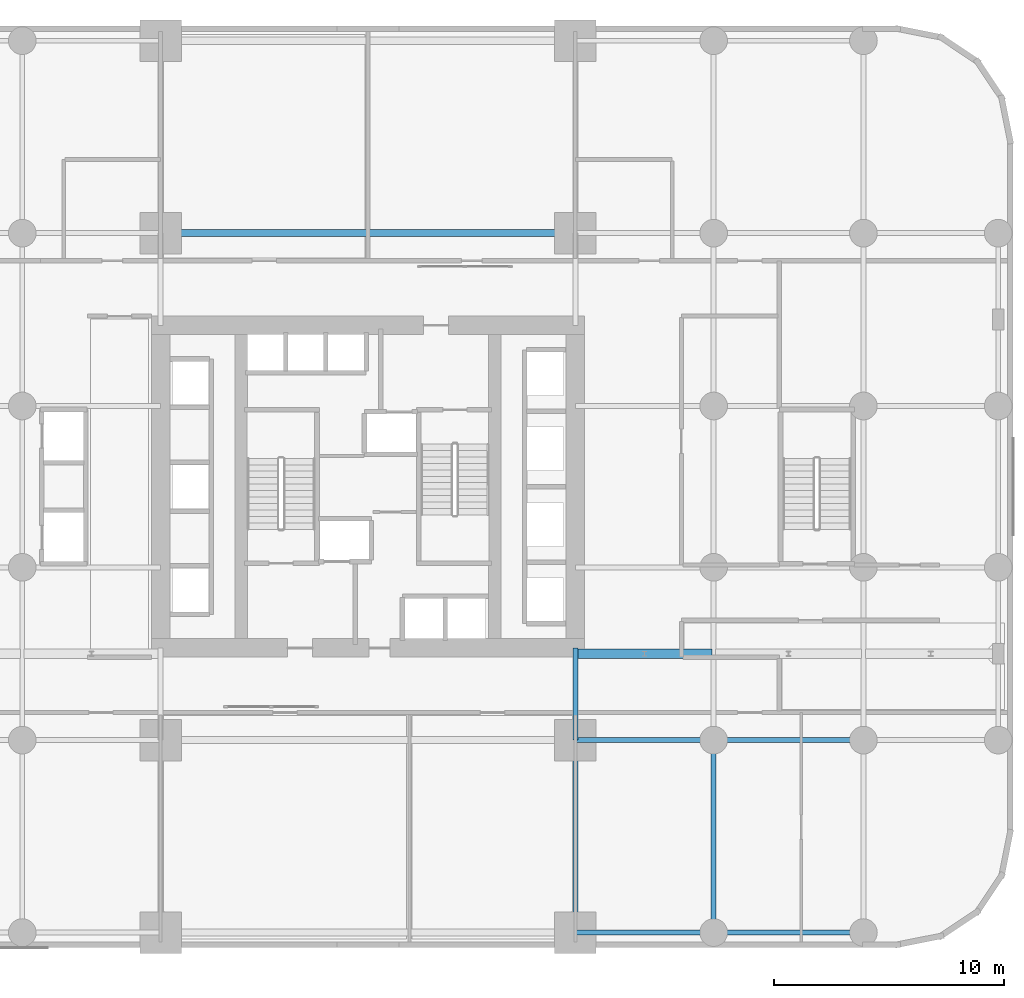
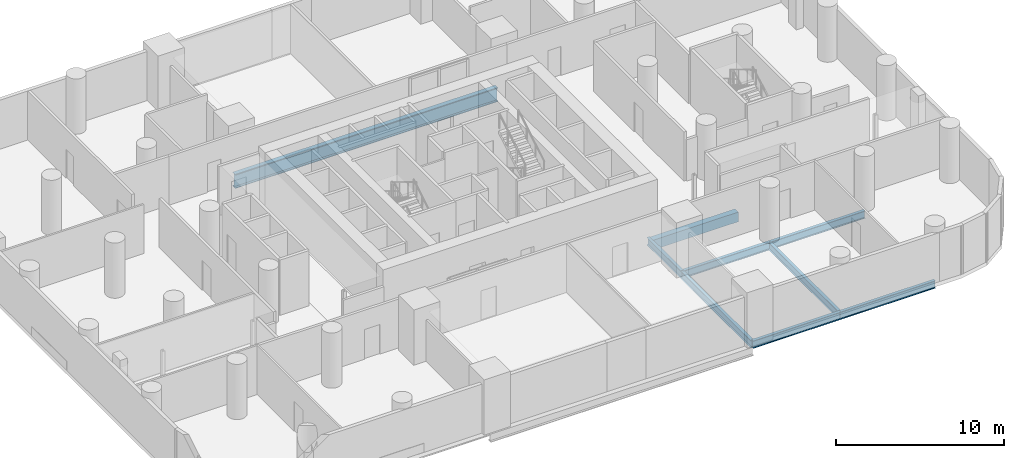
# One storey, part 5 of 15: 9 beams.
"""IFC4 building model written with IfcOpenShell, lengths in metres."""

import ifcopenshell
import ifcopenshell.guid

model = None  # the IFC model being written
_history = None  # IfcOwnerHistory: only IFC2X3 demands one
_inside = {}  # id of a spatial element -> (the spatial element, [elements in it])
_under = {}  # id of a project, library or spatial element -> (it, [spatial elements below it])
_declared = {}  # id of a project -> (the project, [libraries it declares])
_typed = {}  # id of a type object -> (the type object, [elements of that type])
_made_of = {}  # id of a material, layer set ... -> (it, [elements and type objects made of it])


def new_model(schema):
    """Start an empty IFC model of exactly this schema.

    Asked for "IFC4X3", IfcOpenShell would pick the latest addendum, in which some entities
    have other attributes; the version numbers below select the first issue.
    IFC2X3 requires an IfcOwnerHistory on every rooted entity: one is made here for all.
    """
    global model, _history
    if schema == "IFC4X3":
        model = ifcopenshell.file(schema_version=(4, 3, 0, 0))
    else:
        model = ifcopenshell.file(schema=schema)
    _inside.clear()
    _under.clear()
    _declared.clear()
    _typed.clear()
    _made_of.clear()
    _history = None
    if model.schema == "IFC2X3":
        org = make("IfcOrganization", Name="unknown")
        user = make(
            "IfcPersonAndOrganization",
            ThePerson=make("IfcPerson", FamilyName="unknown"),
            TheOrganization=org,
        )
        app = make(
            "IfcApplication",
            ApplicationDeveloper=org,
            Version="unknown",
            ApplicationFullName="unknown",
            ApplicationIdentifier="unknown",
        )
        _history = make(
            "IfcOwnerHistory",
            OwningUser=user,
            OwningApplication=app,
            ChangeAction="ADDED",
            CreationDate=0,
        )
    return model


def make(cls, **values):
    """One entity of the class cls with the attributes given. An attribute that is None is left unset."""
    return model.create_entity(
        cls, **{name: value for name, value in values.items() if value is not None}
    )


def rooted(cls, **values):
    """An entity with a GlobalId (a new one), such as an element, a storey or a relation."""
    return make(cls, GlobalId=ifcopenshell.guid.new(), OwnerHistory=_history, **values)


def si_unit(unit_type, name, prefix=None):
    """IfcSIUnit, for example si_unit("LENGTHUNIT", "METRE", prefix="MILLI")."""
    return make("IfcSIUnit", UnitType=unit_type, Prefix=prefix, Name=name)


def assignment(units):
    """IfcUnitAssignment: the units of a project."""
    return None if units is None else make("IfcUnitAssignment", Units=units)


def point(xyz):
    """IfcCartesianPoint."""
    return None if xyz is None else make("IfcCartesianPoint", Coordinates=xyz)


def direction(xyz):
    """IfcDirection."""
    return None if xyz is None else make("IfcDirection", DirectionRatios=xyz)


def frame(location, z_axis=None, x_axis=None):
    """IfcAxis2Placement3D, a coordinate frame: its origin and axes. An axis left out is left unset."""
    return make(
        "IfcAxis2Placement3D",
        Location=point(location),
        Axis=direction(z_axis),
        RefDirection=direction(x_axis),
    )


def frame_2d(location, x_axis=None):
    """IfcAxis2Placement2D, a coordinate frame in the plane: its origin and x axis."""
    return make(
        "IfcAxis2Placement2D", Location=point(location), RefDirection=direction(x_axis)
    )


def origin():
    """The frame at (0, 0, 0) with its axes left unset."""
    return frame((0.0, 0.0, 0.0))


def origin_2d():
    """The frame at (0, 0) in the plane with its x axis left unset."""
    return frame_2d((0.0, 0.0))


def place(relative_to, where):
    """IfcLocalPlacement: puts the frame where relative to a parent placement (None: the world)."""
    return make(
        "IfcLocalPlacement", PlacementRelTo=relative_to, RelativePlacement=where
    )


def context(
    kind, dimensions, precision=None, world=None, true_north=None, identifier=None
):
    """IfcGeometricRepresentationContext, for example the 3D "Model" context."""
    return make(
        "IfcGeometricRepresentationContext",
        ContextIdentifier=identifier,
        ContextType=kind,
        CoordinateSpaceDimension=dimensions,
        Precision=precision,
        WorldCoordinateSystem=world,
        TrueNorth=true_north,
    )


def subcontext(parent, identifier, kind, view, scale=None):
    """IfcGeometricRepresentationSubContext, for example "Body" below "Model"."""
    return make(
        "IfcGeometricRepresentationSubContext",
        ContextIdentifier=identifier,
        ContextType=kind,
        ParentContext=parent,
        TargetScale=scale,
        TargetView=view,
    )


def project(units=None, contexts=None):
    """IfcProject with its units and contexts."""
    return rooted(
        "IfcProject",
        Name="project",
        RepresentationContexts=contexts,
        UnitsInContext=assignment(units),
    )


def spatial(cls, under=None, at=None, **own):
    """A site, building, storey or space (cls), placed at a placement, below another one or the project."""
    s = rooted(cls, ObjectPlacement=at, **own)
    if under is not None:
        _under.setdefault(under.id(), (under, []))[1].append(s)
    return s


def profile(cls, at=None, kind="AREA", **sizes):
    """A parametric profile (cls). Its sizes go by their IFC names, for example OverallWidth=200.0."""
    return make(cls, ProfileType=kind, Position=at, **sizes)


def rectangle(**sizes):
    """IfcRectangleProfileDef."""
    return profile("IfcRectangleProfileDef", **sizes)


def i_section(**sizes):
    """IfcIShapeProfileDef."""
    return profile("IfcIShapeProfileDef", **sizes)


def extrude(swept, where, along, depth):
    """IfcExtrudedAreaSolid: the profile swept, set in the frame where, extruded along a direction by depth."""
    return make(
        "IfcExtrudedAreaSolid",
        SweptArea=swept,
        Position=where,
        ExtrudedDirection=direction(along),
        Depth=depth,
    )


def shape(context_of_items, identifier, shape_type, items):
    """IfcShapeRepresentation: the items that make up one representation, for example the "Body"."""
    return make(
        "IfcShapeRepresentation",
        ContextOfItems=context_of_items,
        RepresentationIdentifier=identifier,
        RepresentationType=shape_type,
        Items=items,
    )


def material(Name=None, Category=None):
    """IfcMaterial."""
    return make("IfcMaterial", Name=Name, Category=Category)


def material_profile(
    of_material, cross_section, Name=None, Category=None, Priority=None
):
    """IfcMaterialProfile: a cross section and its material."""
    return make(
        "IfcMaterialProfile",
        Name=Name,
        Material=of_material,
        Profile=cross_section,
        Priority=Priority,
        Category=Category,
    )


def profile_set(profiles, Name=None, composite=None):
    """IfcMaterialProfileSet."""
    return make(
        "IfcMaterialProfileSet",
        Name=Name,
        MaterialProfiles=profiles,
        CompositeProfile=composite,
    )


def made_of(thing, what):
    """Note that an element or type object is made of a material, layer set ...; save() writes the relation."""
    if what is not None:
        _made_of.setdefault(what.id(), (what, []))[1].append(thing)
    return thing


def type_object(cls, material=None, **own):
    """A type object (cls), such as IfcWallType, which elements share."""
    return made_of(rooted(cls, **own), material)


def element(
    cls,
    number,
    at=None,
    inside=None,
    cuts=None,
    type_object=None,
    material=None,
    context=None,
    identifier="Body",
    shape_type=None,
    held_by="IfcProductDefinitionShape",
    body=None,
    shapes=None,
    **own,
):
    """One element of the class cls, such as IfcWall. Its Tag is "e" and its number.

    at: its placement. inside: the storey or other place that contains it. cuts: it is an
    opening in that element (IfcRelVoidsElement). A single representation is given by context,
    identifier, shape_type and body (its items); several are given by shapes. held_by: the class
    of the entity that holds the representations. save() writes the other relations.
    """
    e = rooted(cls, Tag="e%d" % number, ObjectPlacement=at, **own)
    if body is not None:
        shapes = [shape(context, identifier, shape_type, body)]
    if shapes is not None:
        e.Representation = make(held_by, Representations=shapes)
    if inside is not None:
        _inside.setdefault(inside.id(), (inside, []))[1].append(e)
    if cuts is not None:
        rooted(
            "IfcRelVoidsElement", RelatingBuildingElement=cuts, RelatedOpeningElement=e
        )
    if type_object is not None:
        _typed.setdefault(type_object.id(), (type_object, []))[1].append(e)
    return made_of(e, material)


def aggregate(whole, parts):
    """IfcRelAggregates: a whole, such as a stair, and the parts it consists of."""
    return rooted("IfcRelAggregates", RelatingObject=whole, RelatedObjects=parts)


def save(model, path):
    """Write the relations noted so far, then the file.

    IfcRelAggregates (storeys below a building ...), IfcRelContainedInSpatialStructure (elements
    in a storey), IfcRelDefinesByType, IfcRelAssociatesMaterial and IfcRelDeclares: one each for
    every whole, place, type object, material and project.
    """
    for whole, parts in _under.values():
        aggregate(whole, parts)
    for where, things in _inside.values():
        rooted(
            "IfcRelContainedInSpatialStructure",
            RelatedElements=things,
            RelatingStructure=where,
        )
    for kind, things in _typed.values():
        rooted("IfcRelDefinesByType", RelatedObjects=things, RelatingType=kind)
    for what, things in _made_of.values():
        rooted("IfcRelAssociatesMaterial", RelatedObjects=things, RelatingMaterial=what)
    for by, libraries in _declared.values():
        rooted("IfcRelDeclares", RelatingContext=by, RelatedDefinitions=libraries)
    model.write(path)


model = new_model("IFC4")

# Units and contexts
model_context = context("Model", 3, precision=1e-05, world=origin(), true_north=direction((0.0, 1.0)))
body_context = subcontext(model_context, "Body", "Model", "MODEL_VIEW")
ifc_project = project(units=[si_unit("LENGTHUNIT", "METRE"), si_unit("AREAUNIT", "SQUARE_METRE"), si_unit("VOLUMEUNIT", "CUBIC_METRE"), si_unit("PLANEANGLEUNIT", "RADIAN"), si_unit("MASSUNIT", "GRAM", prefix="KILO")], contexts=[model_context])

# Site, building, storey
site_placement = place(None, origin())
site = spatial("IfcSite", under=ifc_project, at=site_placement, CompositionType="ELEMENT")
building_placement = place(site_placement, origin())
building = spatial("IfcBuilding", under=site, at=building_placement, Name="Veldorim Arch Residences", CompositionType="ELEMENT")
storey_placement = place(building_placement, frame((0.0, 0.0, 16.0)))
storey = spatial("IfcBuildingStorey", under=building, at=storey_placement, Name="L04", CompositionType="ELEMENT", Elevation=16.0)

# Beams
ifc_material_1 = material(Name="Concrete C50/60", Category="concrete")
ifc_material_profile_1 = material_profile(ifc_material_1, rectangle(XDim=0.39990234375, YDim=0.699951171875, at=origin_2d()), Name="RC_RECT_400x700")
ifc_profile_set_1 = profile_set([ifc_material_profile_1], Name="Concrete C50/60")
beam_type_1 = type_object("IfcBeamType", Name="Reinforced Concrete Lintel RC_RECT_400x700", PredefinedType="LINTEL", material=ifc_profile_set_1)
beam_1_placement = place(storey_placement, frame((41.080078125, 16.75, -0.6298828125), z_axis=(1.0, 0.0, 0.0), x_axis=(0.0, 1.0, 0.0)))
element("IfcBeam", 1, at=beam_1_placement, inside=storey, type_object=beam_type_1, Name="L04 clinic opening structural lintel 04", PredefinedType="LINTEL", context=body_context, shape_type="SweptSolid", body=[
    extrude(rectangle(XDim=0.39990234375, YDim=0.699951171875, at=origin_2d()), origin(), (0.0, 0.0, 1.0), 5.83984375),
])
ifc_material_2 = material(Name="Steel S355", Category="steel")
ifc_material_profile_2 = material_profile(ifc_material_2, i_section(OverallWidth=0.2099609375, OverallDepth=0.53662109375, WebThickness=0.0107421875, FlangeThickness=0.017333984375, at=origin_2d()), Name="UB533x210x101")
ifc_profile_set_2 = profile_set([ifc_material_profile_2], Name="Steel S355")
beam_type_2 = type_object("IfcBeamType", Name="Structural Steel Beam UB533x210x101", PredefinedType="BEAM", material=ifc_profile_set_2)
beam_2_placement = place(storey_placement, frame((41.0, 4.64990234375, -0.54833984375), z_axis=(0.0, 1.0, 0.0), x_axis=(-1.0, 0.0, 0.0)))
element("IfcBeam", 2, at=beam_2_placement, inside=storey, type_object=beam_type_2, Name="L04 north-south floor beam (X=41.0, 4.7-13.0)", PredefinedType="BEAM", context=body_context, shape_type="SweptSolid", body=[
    extrude(i_section(OverallWidth=0.2099609375, OverallDepth=0.53662109375, WebThickness=0.0107421875, FlangeThickness=0.017333984375, at=origin_2d()), origin(), (0.0, 0.0, 1.0), 8.35009765625),
])
beam_3_placement = place(storey_placement, frame((41.0, 13.0, -0.54833984375), z_axis=(0.0, 1.0, 0.0), x_axis=(-1.0, 0.0, 0.0)))
element("IfcBeam", 3, at=beam_3_placement, inside=storey, type_object=beam_type_2, Name="L04 north-south floor beam (X=41.0, 13.0-17.0)", PredefinedType="BEAM", context=body_context, shape_type="SweptSolid", body=[
    extrude(i_section(OverallWidth=0.2099609375, OverallDepth=0.53662109375, WebThickness=0.0107421875, FlangeThickness=0.017333984375, at=origin_2d()), origin(), (0.0, 0.0, 1.0), 4.0),
])
beam_4_placement = place(storey_placement, frame((47.0, 4.64990234375, -0.54833984375), z_axis=(0.0, 1.0, 0.0), x_axis=(-1.0, 0.0, 0.0)))
element("IfcBeam", 4, at=beam_4_placement, inside=storey, type_object=beam_type_2, Name="L04 north-south floor beam (X=47.0, 4.7-13.0)", PredefinedType="BEAM", context=body_context, shape_type="SweptSolid", body=[
    extrude(i_section(OverallWidth=0.2099609375, OverallDepth=0.53662109375, WebThickness=0.0107421875, FlangeThickness=0.017333984375, at=origin_2d()), origin(), (0.0, 0.0, 1.0), 8.35009765625),
])
ifc_material_3 = material(Name="Steel S355", Category="steel")
ifc_material_profile_3 = material_profile(ifc_material_3, i_section(OverallWidth=0.2119140625, OverallDepth=0.54443359375, WebThickness=0.0126953125, FlangeThickness=0.021240234375, at=origin_2d()), Name="UB533x210x122")
ifc_profile_set_3 = profile_set([ifc_material_profile_3], Name="Steel S355")
beam_type_3 = type_object("IfcBeamType", Name="Structural Steel Beam UB533x210x122", PredefinedType="BEAM", material=ifc_profile_set_3)
beam_5_placement = place(storey_placement, frame((41.0, 4.64990234375, -0.55224609375), z_axis=(1.0, 0.0, 0.0), x_axis=(0.0, 1.0, 0.0)))
element("IfcBeam", 5, at=beam_5_placement, inside=storey, type_object=beam_type_3, Name="L04 east-west floor beam (41.0-47.0, Y=4.7)", PredefinedType="BEAM", context=body_context, shape_type="SweptSolid", body=[
    extrude(i_section(OverallWidth=0.2119140625, OverallDepth=0.54443359375, WebThickness=0.0126953125, FlangeThickness=0.021240234375, at=origin_2d()), origin(), (0.0, 0.0, 1.0), 6.0),
])
beam_6_placement = place(storey_placement, frame((47.0, 4.64990234375, -0.55224609375), z_axis=(1.0, 0.0, 0.0), x_axis=(0.0, 1.0, 0.0)))
element("IfcBeam", 6, at=beam_6_placement, inside=storey, type_object=beam_type_3, Name="L04 east-west floor beam (47.0-53.5, Y=4.7)", PredefinedType="BEAM", context=body_context, shape_type="SweptSolid", body=[
    extrude(i_section(OverallWidth=0.2119140625, OverallDepth=0.54443359375, WebThickness=0.0126953125, FlangeThickness=0.021240234375, at=origin_2d()), origin(), (0.0, 0.0, 1.0), 6.5),
])
beam_7_placement = place(storey_placement, frame((41.0, 13.0, -0.55224609375), z_axis=(1.0, 0.0, 0.0), x_axis=(0.0, 1.0, 0.0)))
element("IfcBeam", 7, at=beam_7_placement, inside=storey, type_object=beam_type_3, Name="L04 east-west floor beam (41.0-47.0, Y=13.0)", PredefinedType="BEAM", context=body_context, shape_type="SweptSolid", body=[
    extrude(i_section(OverallWidth=0.2119140625, OverallDepth=0.54443359375, WebThickness=0.0126953125, FlangeThickness=0.021240234375, at=origin_2d()), origin(), (0.0, 0.0, 1.0), 6.0),
])
beam_8_placement = place(storey_placement, frame((47.0, 13.0, -0.55224609375), z_axis=(1.0, 0.0, 0.0), x_axis=(0.0, 1.0, 0.0)))
element("IfcBeam", 8, at=beam_8_placement, inside=storey, type_object=beam_type_3, Name="L04 east-west floor beam (47.0-53.5, Y=13.0)", PredefinedType="BEAM", context=body_context, shape_type="SweptSolid", body=[
    extrude(i_section(OverallWidth=0.2119140625, OverallDepth=0.54443359375, WebThickness=0.0126953125, FlangeThickness=0.021240234375, at=origin_2d()), origin(), (0.0, 0.0, 1.0), 6.5),
])
ifc_material_4 = material(Name="Steel S460", Category="steel")
ifc_material_profile_4 = material_profile(ifc_material_4, i_section(OverallWidth=0.305419921875, OverallDepth=1.02587890625, WebThickness=0.02685546875, FlangeThickness=0.053955078125, at=origin_2d()), Name="UB1016x305x437")
ifc_profile_set_4 = profile_set([ifc_material_profile_4], Name="Steel S460")
beam_type_4 = type_object("IfcBeamType", Name="Structural Steel GIRDER UB1016x305x437", PredefinedType="USERDEFINED", material=ifc_profile_set_4)
beam_9_placement = place(storey_placement, frame((23.0, 35.0, -0.79296875), z_axis=(1.0, 0.0, 0.0), x_axis=(0.0, 1.0, 0.0)))
element("IfcBeam", 9, at=beam_9_placement, inside=storey, type_object=beam_type_4, Name="L04 east-west floor beam (23.0-41.0, Y=35.0)", ObjectType="GIRDER", PredefinedType="USERDEFINED", context=body_context, shape_type="SweptSolid", body=[
    extrude(i_section(OverallWidth=0.305419921875, OverallDepth=1.02587890625, WebThickness=0.02685546875, FlangeThickness=0.053955078125, at=origin_2d()), origin(), (0.0, 0.0, 1.0), 18.0),
])

save(model, "model.ifc")
